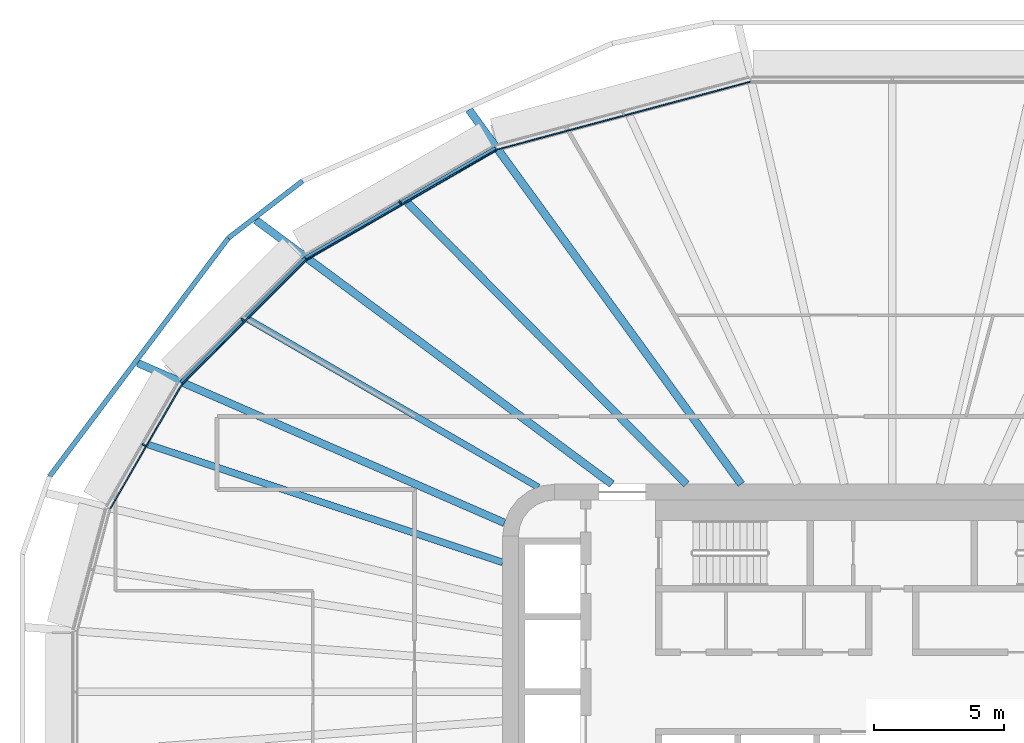
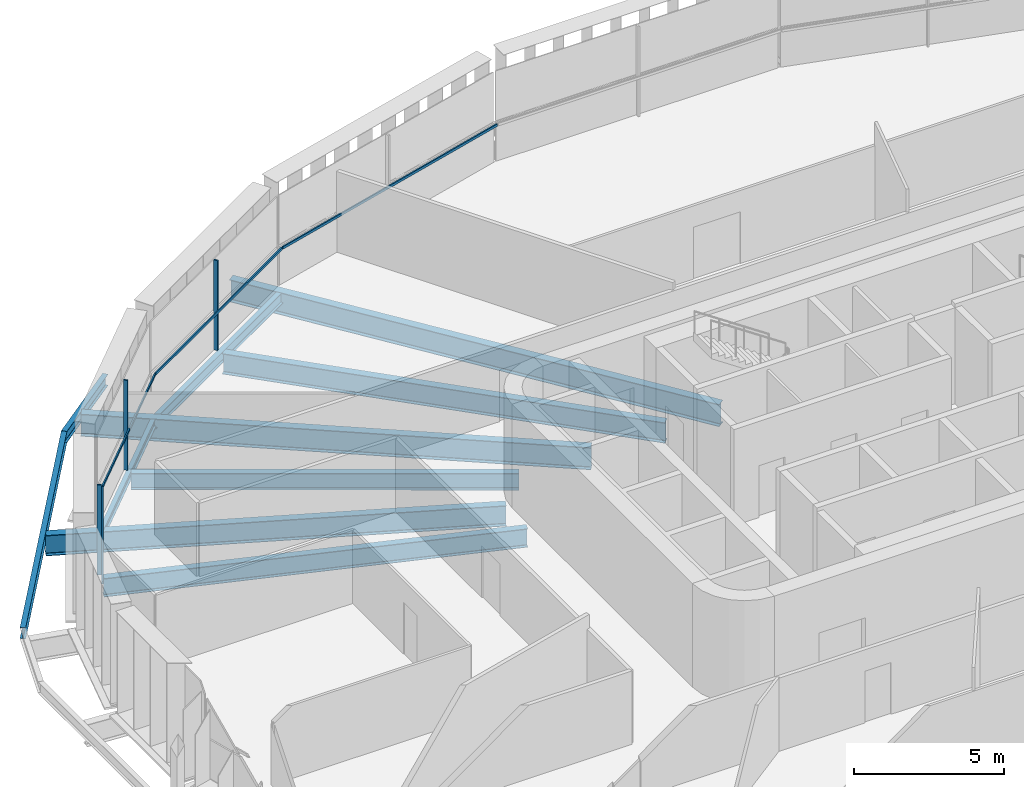
# One storey, part 7 of 25: 10 beams, 7 members, 4 elements without a shape of their own.
"""IFC4 building model written with IfcOpenShell, lengths in metres."""

from ifc_helpers import new_model, si_unit, direction, frame, origin, origin_2d, place, context, subcontext, project, spatial, rectangle, i_section, extrude, material, layer, layer_set, material_profile, profile_set, type_object, element, aggregate, save


model = new_model("IFC4")

# Units and contexts
model_context = context("Model", 3, precision=1e-05, world=origin(), true_north=direction((0.0, 1.0)))
body_context = subcontext(model_context, "Body", "Model", "MODEL_VIEW")
ifc_project = project(units=[si_unit("LENGTHUNIT", "METRE"), si_unit("AREAUNIT", "SQUARE_METRE"), si_unit("VOLUMEUNIT", "CUBIC_METRE"), si_unit("PLANEANGLEUNIT", "RADIAN"), si_unit("MASSUNIT", "GRAM", prefix="KILO")], contexts=[model_context])

# Site, building, storey
site_placement = place(None, origin())
site = spatial("IfcSite", under=ifc_project, at=site_placement, CompositionType="ELEMENT")
building_placement = place(site_placement, origin())
building = spatial("IfcBuilding", under=site, at=building_placement, Name="Sahrelin Media Tower", CompositionType="ELEMENT")
storey_placement = place(building_placement, frame((0.0, 0.0, 135.60009765625)))
storey = spatial("IfcBuildingStorey", under=building, at=storey_placement, Name="L27", CompositionType="ELEMENT", Elevation=135.60009765625)

# Beams
ifc_material_1 = material(Name="Steel S355", Category="steel")
ifc_material_profile_1 = material_profile(ifc_material_1, i_section(OverallWidth=0.17138671875, OverallDepth=0.35498046875, WebThickness=0.00732421875, FlangeThickness=0.011474609375, FilletRadius=0.01025390625, at=origin_2d()), Name="UB 356x171x51")
ifc_profile_set_1 = profile_set([ifc_material_profile_1], Name="Steel S355")
beam_type_1 = type_object("IfcBeamType", Name="Edge beam EB3", PredefinedType="BEAM", material=ifc_profile_set_1)
beam_1_placement = place(storey_placement, frame((-27.36474609375, 11.903564453125, -0.32763671875), z_axis=(0.707106781187, 0.707106781187, 0.0), x_axis=(-0.707106781187, 0.707106781187, 0.0)))
element("IfcBeam", 1, at=beam_1_placement, inside=storey, type_object=beam_type_1, Name="Edge beam L27-16", PredefinedType="BEAM", context=body_context, shape_type="SweptSolid", body=[
    extrude(i_section(OverallWidth=0.17138671875, OverallDepth=0.35498046875, WebThickness=0.00732421875, FlangeThickness=0.011474609375, FilletRadius=0.01025390625, at=origin_2d()), origin(), (0.0, 0.0, 1.0), 6.751953125),
])
ifc_material_profile_2 = material_profile(ifc_material_1, i_section(OverallWidth=0.1904296875, OverallDepth=0.45703125, WebThickness=0.009033203125, FlangeThickness=0.014404296875, FilletRadius=0.01025390625, at=origin_2d()), Name="UB 457x191x74")
ifc_profile_set_2 = profile_set([ifc_material_profile_2], Name="Steel S355")
beam_type_2 = type_object("IfcBeamType", Name="Edge beam EB5", PredefinedType="BEAM", material=ifc_profile_set_2)
beam_2_placement = place(storey_placement, frame((-22.5673828125, 16.695556640625, -0.378662109375), z_axis=(0.866028896434, 0.499993950504, 0.0), x_axis=(-0.499993950504, 0.866028896434, 0.0)))
element("IfcBeam", 2, at=beam_2_placement, inside=storey, type_object=beam_type_2, Name="Edge beam L27-17", PredefinedType="BEAM", context=body_context, shape_type="SweptSolid", body=[
    extrude(i_section(OverallWidth=0.1904296875, OverallDepth=0.45703125, WebThickness=0.009033203125, FlangeThickness=0.014404296875, FilletRadius=0.01025390625, at=origin_2d()), origin(), (0.0, 0.0, 1.0), 8.4326171875),
])

# Curtain wall, member
ifc_material_2 = material(Name="Champagne anodised aluminium 6063-T6", Category="aluminium")
ifc_layer = layer(ifc_material_2, 0.14990234375)
ifc_layer_set = layer_set([ifc_layer], Name="Tower ribbon curtain wall")
curtain_wall_type = type_object("IfcCurtainWallType", Name="Tower ribbon curtain wall", PredefinedType="NOTDEFINED", material=ifc_layer_set)
curtain_wall_1_placement = place(storey_placement, frame((-18.990966796875, 18.93359375, 0.0), z_axis=(0.0, 0.0, 1.0), x_axis=(1.0, 0.0, 0.0)))
curtain_wall_1 = element("IfcCurtainWall", 3, at=curtain_wall_1_placement, inside=storey, type_object=curtain_wall_type, Name="L27:CW:L27-08", PredefinedType="NOTDEFINED")
ifc_material_profile_3 = material_profile(ifc_material_2, rectangle(XDim=0.06005859375, YDim=0.14990234375, at=origin_2d()), Name="Mullion 60x150")
ifc_profile_set_3 = profile_set([ifc_material_profile_3], Name="Champagne anodised aluminium 6063-T6")
member_type_1 = type_object("IfcMemberType", Name="Mullion 60x150 CW1", PredefinedType="MULLION", material=ifc_profile_set_3)
member_1_placement = place(storey_placement, frame((-18.943603515625, 18.851318359375, 0.0), z_axis=(0.0, 0.0, 1.0), x_axis=(-0.866027149108, -0.499996976998, 0.0)))
member_1 = element("IfcMember", 4, at=member_1_placement, type_object=member_type_1, Name="L27:CWM:L27-08", PredefinedType="MULLION", context=body_context, shape_type="SweptSolid", body=[
    extrude(rectangle(XDim=0.06005859375, YDim=0.14990234375, at=origin_2d()), origin(), (0.0, 0.0, 1.0), 3.6484375),
])

curtain_wall_2_placement = place(storey_placement, frame((-25.08349609375, 14.396728515625, 0.0), z_axis=(0.0, 0.0, 1.0), x_axis=(1.0, 0.0, 0.0)))
curtain_wall_2 = element("IfcCurtainWall", 5, at=curtain_wall_2_placement, inside=storey, type_object=curtain_wall_type, Name="L27:CW:L27-09", PredefinedType="NOTDEFINED")
member_2_placement = place(storey_placement, frame((-25.016357421875, 14.32958984375, 0.0), z_axis=(0.0, 0.0, 1.0), x_axis=(-0.707106781187, -0.707106781187, 0.0)))
member_2 = element("IfcMember", 6, at=member_2_placement, type_object=member_type_1, Name="L27:CWM:L27-09", PredefinedType="MULLION", context=body_context, shape_type="SweptSolid", body=[
    extrude(rectangle(XDim=0.06005859375, YDim=0.14990234375, at=origin_2d()), origin(), (0.0, 0.0, 1.0), 3.6484375),
])

curtain_wall_3_placement = place(storey_placement, frame((-28.8984375, 9.5546875, 0.0), z_axis=(0.0, 0.0, 1.0), x_axis=(1.0, 0.0, 0.0)))
curtain_wall_3 = element("IfcCurtainWall", 7, at=curtain_wall_3_placement, inside=storey, type_object=curtain_wall_type, Name="L27:CW:L27-10", PredefinedType="NOTDEFINED")
member_3_placement = place(storey_placement, frame((-28.816162109375, 9.507080078125, 0.0), z_axis=(0.0, 0.0, 1.0), x_axis=(-0.49999395399, -0.866028894422, 0.0)))
member_3 = element("IfcMember", 8, at=member_3_placement, type_object=member_type_1, Name="L27:CWM:L27-10", PredefinedType="MULLION", context=body_context, shape_type="SweptSolid", body=[
    extrude(rectangle(XDim=0.06005859375, YDim=0.14990234375, at=origin_2d()), origin(), (0.0, 0.0, 1.0), 3.6484375),
])

# Beams
ifc_material_profile_4 = material_profile(ifc_material_1, i_section(OverallWidth=0.291748046875, OverallDepth=0.8349609375, WebThickness=0.013916015625, FlangeThickness=0.018798828125, FilletRadius=0.017822265625, at=origin_2d()), Name="UB 838x292x176")
ifc_profile_set_4 = profile_set([ifc_material_profile_4], Name="Steel S355")
beam_type_3 = type_object("IfcBeamType", Name="Radial primary beam PB10", PredefinedType="BEAM", material=ifc_profile_set_4)
beam_3_placement = place(storey_placement, frame((-14.93310546875, 6.509521484375, -0.567626953125), z_axis=(-0.916692689736, 0.399592933601, 0.0), x_axis=(-0.399592933601, -0.916692689736, 0.0)))
element("IfcBeam", 9, at=beam_3_placement, inside=storey, type_object=beam_type_3, Name="Radial beam L27-10", PredefinedType="BEAM", context=body_context, shape_type="SweptSolid", body=[
    extrude(i_section(OverallWidth=0.291748046875, OverallDepth=0.8349609375, WebThickness=0.013916015625, FlangeThickness=0.018798828125, FilletRadius=0.017822265625, at=origin_2d()), origin(), (0.0, 0.0, 1.0), 15.40380859375),
])
ifc_material_profile_5 = material_profile(ifc_material_1, i_section(OverallWidth=0.30322265625, OverallDepth=0.903076171875, WebThickness=0.01513671875, FlangeThickness=0.020263671875, FilletRadius=0.01904296875, at=origin_2d()), Name="UB 914x305x201")
ifc_profile_set_5 = profile_set([ifc_material_profile_5], Name="Steel S355")
beam_type_4 = type_object("IfcBeamType", Name="Radial primary beam PB11", PredefinedType="BEAM", material=ifc_profile_set_5)
beam_4_placement = place(storey_placement, frame((-5.81591796875, 8.0, -0.6015625), z_axis=(-0.588024299574, 0.808843262388, 0.0), x_axis=(-0.808843262388, -0.588024299574, 0.0)))
element("IfcBeam", 10, at=beam_4_placement, inside=storey, type_object=beam_type_4, Name="Radial beam L27-08", PredefinedType="BEAM", context=body_context, shape_type="SweptSolid", body=[
    extrude(i_section(OverallWidth=0.30322265625, OverallDepth=0.903076171875, WebThickness=0.01513671875, FlangeThickness=0.020263671875, FilletRadius=0.01904296875, at=origin_2d()), origin(), (0.0, 0.0, 1.0), 17.826904296875),
])
beam_5_placement = place(storey_placement, frame((-10.791015625, 8.0, -0.6015625), z_axis=(-0.803316017069, 0.595553000766, 0.0), x_axis=(-0.595553000766, -0.803316017069, 0.0)))
element("IfcBeam", 11, at=beam_5_placement, inside=storey, type_object=beam_type_4, Name="Radial beam L27-09", PredefinedType="BEAM", context=body_context, shape_type="SweptSolid", body=[
    extrude(i_section(OverallWidth=0.30322265625, OverallDepth=0.903076171875, WebThickness=0.01513671875, FlangeThickness=0.020263671875, FilletRadius=0.01904296875, at=origin_2d()), origin(), (0.0, 0.0, 1.0), 17.076416015625),
])
ifc_material_profile_6 = material_profile(ifc_material_1, i_section(OverallWidth=0.291748046875, OverallDepth=0.8349609375, WebThickness=0.013916015625, FlangeThickness=0.018798828125, FilletRadius=0.017822265625, at=origin_2d()), Name="UB 838x292x176")
ifc_profile_set_6 = profile_set([ifc_material_profile_6], Name="Steel S355")
beam_type_5 = type_object("IfcBeamType", Name="Radial secondary beam SB10", PredefinedType="BEAM", material=ifc_profile_set_6)
beam_6_placement = place(storey_placement, frame((-7.92578125, 8.0, -0.567626953125), z_axis=(-0.703794822352, 0.710403299563, 0.0), x_axis=(-0.710403299563, -0.703794822352, 0.0)))
element("IfcBeam", 12, at=beam_6_placement, inside=storey, type_object=beam_type_5, Name="Secondary beam L27-08", PredefinedType="BEAM", context=body_context, shape_type="SweptSolid", body=[
    extrude(i_section(OverallWidth=0.291748046875, OverallDepth=0.8349609375, WebThickness=0.013916015625, FlangeThickness=0.018798828125, FilletRadius=0.017822265625, at=origin_2d()), origin(), (0.0, 0.0, 1.0), 15.257568359375),
])
ifc_material_profile_7 = material_profile(ifc_material_1, i_section(OverallWidth=0.2529296875, OverallDepth=0.677978515625, WebThickness=0.01171875, FlangeThickness=0.01611328125, FilletRadius=0.01513671875, at=origin_2d()), Name="UB 686x254x125")
ifc_profile_set_7 = profile_set([ifc_material_profile_7], Name="Steel S355")
beam_type_6 = type_object("IfcBeamType", Name="Radial secondary beam SB8", PredefinedType="BEAM", material=ifc_profile_set_7)
beam_7_placement = place(storey_placement, frame((-13.62939453125, 7.885498046875, -0.489013671875), z_axis=(-0.865569164292, 0.500789398676, 0.0), x_axis=(-0.500789398676, -0.865569164292, 0.0)))
element("IfcBeam", 13, at=beam_7_placement, inside=storey, type_object=beam_type_6, Name="Secondary beam L27-09", PredefinedType="BEAM", context=body_context, shape_type="SweptSolid", body=[
    extrude(i_section(OverallWidth=0.2529296875, OverallDepth=0.677978515625, WebThickness=0.01171875, FlangeThickness=0.01611328125, FilletRadius=0.01513671875, at=origin_2d()), origin(), (0.0, 0.0, 1.0), 12.904541015625),
])
ifc_material_profile_8 = material_profile(ifc_material_1, i_section(OverallWidth=0.26513671875, OverallDepth=0.75390625, WebThickness=0.0126953125, FlangeThickness=0.017578125, FilletRadius=0.0166015625, at=origin_2d()), Name="UB 762x267x147")
ifc_profile_set_8 = profile_set([ifc_material_profile_8], Name="Steel S355")
beam_type_7 = type_object("IfcBeamType", Name="Radial secondary beam SB9", PredefinedType="BEAM", material=ifc_profile_set_8)
beam_8_placement = place(storey_placement, frame((-15.0, 4.9873046875, -0.527099609375), z_axis=(-0.948922383089, 0.315509605039, 0.0), x_axis=(-0.315509605039, -0.948922383089, 0.0)))
element("IfcBeam", 14, at=beam_8_placement, inside=storey, type_object=beam_type_7, Name="Secondary beam L27-10", PredefinedType="BEAM", context=body_context, shape_type="SweptSolid", body=[
    extrude(i_section(OverallWidth=0.26513671875, OverallDepth=0.75390625, WebThickness=0.0126953125, FlangeThickness=0.017578125, FilletRadius=0.0166015625, at=origin_2d()), origin(), (0.0, 0.0, 1.0), 14.3818359375),
])
ifc_material_profile_9 = material_profile(ifc_material_1, i_section(OverallWidth=0.1904296875, OverallDepth=0.45703125, WebThickness=0.009033203125, FlangeThickness=0.014404296875, FilletRadius=0.01025390625, at=origin_2d()), Name="UB 457x191x74")
ifc_profile_set_9 = profile_set([ifc_material_profile_9], Name="Steel S355")
beam_type_8 = type_object("IfcBeamType", Name="Tie chord TC5", PredefinedType="BEAM", material=ifc_profile_set_9)
beam_9_placement = place(storey_placement, frame((-22.710693359375, 19.673828125, -0.378662109375), z_axis=(-0.792467490374, -0.609914155189, 0.0), x_axis=(0.609914155189, -0.792467490374, 0.0)))
element("IfcBeam", 15, at=beam_9_placement, inside=storey, type_object=beam_type_8, Name="Tie chord L27-09", PredefinedType="BEAM", context=body_context, shape_type="SweptSolid", body=[
    extrude(i_section(OverallWidth=0.1904296875, OverallDepth=0.45703125, WebThickness=0.009033203125, FlangeThickness=0.014404296875, FilletRadius=0.01025390625, at=origin_2d()), origin(), (0.0, 0.0, 1.0), 3.59619140625),
])
beam_10_placement = place(storey_placement, frame((-25.560546875, 17.48046875, -0.378662109375), z_axis=(-0.600040835685, -0.799969371608, 0.0), x_axis=(0.799969371608, -0.600040835685, 0.0)))
element("IfcBeam", 16, at=beam_10_placement, inside=storey, type_object=beam_type_8, Name="Tie chord L27-10", PredefinedType="BEAM", context=body_context, shape_type="SweptSolid", body=[
    extrude(i_section(OverallWidth=0.1904296875, OverallDepth=0.45703125, WebThickness=0.009033203125, FlangeThickness=0.014404296875, FilletRadius=0.01025390625, at=origin_2d()), origin(), (0.0, 0.0, 1.0), 11.478759765625),
])

# Curtain wall, member
curtain_wall_4_placement = place(storey_placement, frame((-10.389404296875, 22.377197265625, 0.0), z_axis=(0.0, 0.0, 1.0), x_axis=(1.0, 0.0, 0.0)))
curtain_wall_4 = element("IfcCurtainWall", 17, at=curtain_wall_4_placement, inside=storey, type_object=curtain_wall_type, Name="L27:CW:L27-07", PredefinedType="NOTDEFINED")
ifc_material_profile_10 = material_profile(ifc_material_2, rectangle(XDim=0.050048828125, YDim=0.10009765625, at=origin_2d()), Name="Transom 50x100")
ifc_profile_set_10 = profile_set([ifc_material_profile_10], Name="Champagne anodised aluminium 6063-T6")
member_type_2 = type_object("IfcMemberType", Name="Transom 50x100 CW1", PredefinedType="USERDEFINED", material=ifc_profile_set_10)
member_4_placement = place(storey_placement, frame((-5.466796875, 23.494384765625, 1.599853515625), z_axis=(-0.965928174808, -0.258810280151, 0.0), x_axis=(0.258810280151, -0.965928174808, 0.0)))
member_4 = element("IfcMember", 18, at=member_4_placement, type_object=member_type_2, Name="L27:CWT:L27-07", ObjectType="TRANSOM", PredefinedType="USERDEFINED", context=body_context, shape_type="SweptSolid", body=[
    extrude(rectangle(XDim=0.050048828125, YDim=0.10009765625, at=origin_2d()), origin(), (0.0, 0.0, 1.0), 10.087890625),
])
aggregate(curtain_wall_4, [member_4])

# Member
member_5_placement = place(storey_placement, frame((-15.255615234375, 20.864990234375, 1.599853515625), z_axis=(-0.866020563817, -0.500008382975, 0.0), x_axis=(0.500008382975, -0.866020563817, 0.0)))
member_5 = element("IfcMember", 19, at=member_5_placement, type_object=member_type_2, Name="L27:CWT:L27-08", ObjectType="TRANSOM", PredefinedType="USERDEFINED", context=body_context, shape_type="SweptSolid", body=[
    extrude(rectangle(XDim=0.050048828125, YDim=0.10009765625, at=origin_2d()), origin(), (0.0, 0.0, 1.0), 8.401123046875),
])

aggregate(curtain_wall_1, [member_1, member_5])

member_6_placement = place(storey_placement, frame((-22.569580078125, 16.635009765625, 1.599853515625), z_axis=(-0.707106781187, -0.707106781187, 0.0), x_axis=(0.707106781187, -0.707106781187, 0.0)))
member_6 = element("IfcMember", 20, at=member_6_placement, type_object=member_type_2, Name="L27:CWT:L27-09", ObjectType="TRANSOM", PredefinedType="USERDEFINED", context=body_context, shape_type="SweptSolid", body=[
    extrude(rectangle(XDim=0.050048828125, YDim=0.10009765625, at=origin_2d()), origin(), (0.0, 0.0, 1.0), 6.720703125),
])

aggregate(curtain_wall_2, [member_2, member_6])

member_7_placement = place(storey_placement, frame((-27.35107421875, 11.844482421875, 1.599853515625), z_axis=(-0.500006091826, -0.866021886639, 0.0), x_axis=(0.866021886639, -0.500006091826, 0.0)))
member_7 = element("IfcMember", 21, at=member_7_placement, type_object=member_type_2, Name="L27:CWT:L27-10", ObjectType="TRANSOM", PredefinedType="USERDEFINED", context=body_context, shape_type="SweptSolid", body=[
    extrude(rectangle(XDim=0.050048828125, YDim=0.10009765625, at=origin_2d()), origin(), (0.0, 0.0, 1.0), 5.513671875),
])

aggregate(curtain_wall_3, [member_3, member_7])

save(model, "model.ifc")
